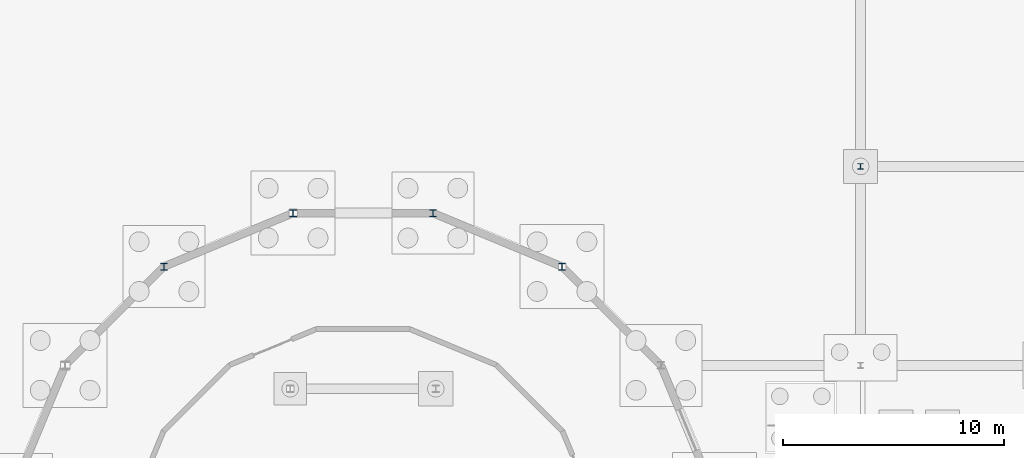
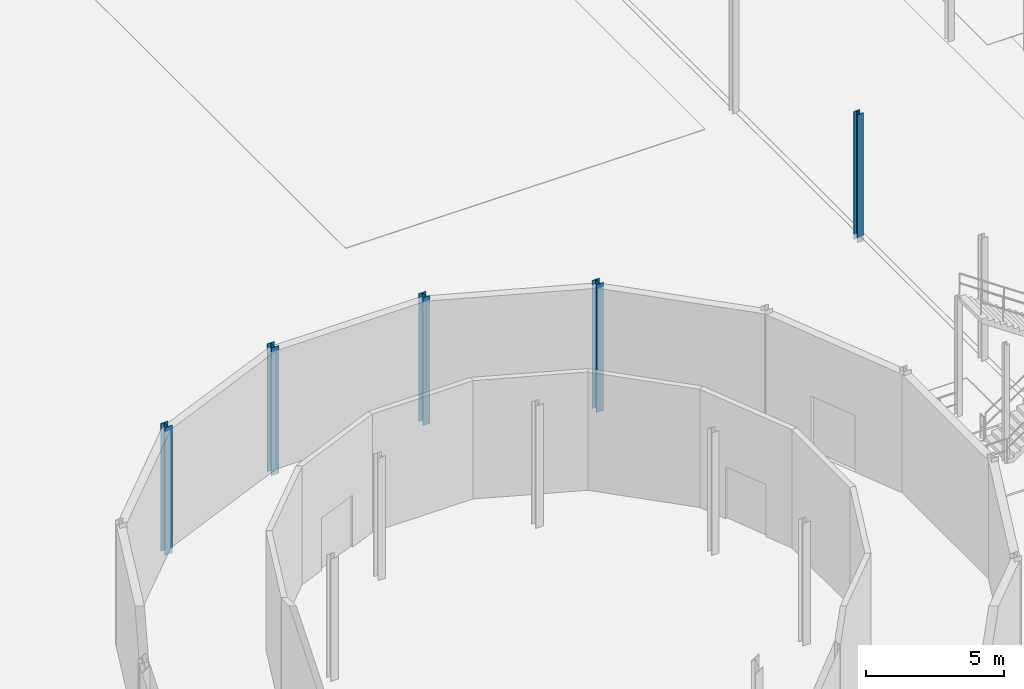
# One storey, part 7 of 180: 5 columns.
"""IFC4 building model written with IfcOpenShell, lengths in metres."""

from ifc_helpers import new_model, si_unit, direction, frame, origin, origin_2d, place, context, subcontext, project, spatial, i_section, extrude, material, material_profile, profile_set, type_object, element, save


model = new_model("IFC4")

# Units and contexts
model_context = context("Model", 3, precision=1e-05, world=origin(), true_north=direction((0.0, 1.0)))
body_context = subcontext(model_context, "Body", "Model", "MODEL_VIEW")
ifc_project = project(units=[si_unit("LENGTHUNIT", "METRE"), si_unit("AREAUNIT", "SQUARE_METRE"), si_unit("VOLUMEUNIT", "CUBIC_METRE"), si_unit("PLANEANGLEUNIT", "RADIAN"), si_unit("MASSUNIT", "GRAM", prefix="KILO"), si_unit("THERMODYNAMICTEMPERATUREUNIT", "KELVIN"), si_unit("POWERUNIT", "WATT")], contexts=[model_context])

# Site, building, storey
site_placement = place(None, origin())
site = spatial("IfcSite", under=ifc_project, at=site_placement, CompositionType="ELEMENT")
building_placement = place(site_placement, origin())
building = spatial("IfcBuilding", under=site, at=building_placement, Name="Tallowbark Science Centre", CompositionType="ELEMENT")
storey_placement = place(building_placement, origin())
storey = spatial("IfcBuildingStorey", under=building, at=storey_placement, Name="L00", CompositionType="ELEMENT", Elevation=0.0)

# Columns
ifc_material = material(Name="Structural Steel Grade 300PLUS (300 MPa)", Category="steel")
ifc_material_profile_1 = material_profile(ifc_material, i_section(OverallWidth=0.256103515625, OverallDepth=0.260009765625, WebThickness=0.010498046875, FlangeThickness=0.017333984375, FilletRadius=0.013916015625, at=origin_2d()), Name="250UC89.5")
ifc_profile_set_1 = profile_set([ifc_material_profile_1], Name="Structural Steel Grade 300PLUS (300 MPa)")
column_type_1 = type_object("IfcColumnType", Name="COL-UC250A", PredefinedType="COLUMN", material=ifc_profile_set_1)
column_placement = place(storey_placement, frame((45.0, 36.0, -0.260009765625), z_axis=(0.0, 0.0, 1.0), x_axis=(1.0, 0.0, 0.0)))
element("IfcColumn", 1, at=column_placement, inside=storey, type_object=column_type_1, Name="Column PAS-W04 L00", PredefinedType="COLUMN", context=body_context, shape_type="SweptSolid", body=[
    extrude(i_section(OverallWidth=0.256103515625, OverallDepth=0.260009765625, WebThickness=0.010498046875, FlangeThickness=0.017333984375, FilletRadius=0.013916015625, at=origin_2d()), origin(), (0.0, 0.0, 1.0), 5.659912109375),
])
ifc_material_profile_2 = material_profile(ifc_material, i_section(OverallWidth=0.307373046875, OverallDepth=0.314697265625, WebThickness=0.011962890625, FlangeThickness=0.018798828125, FilletRadius=0.0166015625, at=origin_2d()), Name="310UC118")
ifc_profile_set_2 = profile_set([ifc_material_profile_2], Name="Structural Steel Grade 300PLUS (300 MPa)")
column_type_2 = type_object("IfcColumnType", Name="PIL-UC310", PredefinedType="PILASTER", material=ifc_profile_set_2)
for number, where, z_axis, x_axis, name in (
    (2, (31.500244140625, 31.4697265625, -0.239990234375), (0.0, 0.0, 1.0), (1.0, 0.0, 0.0), "Column DRM-P03 L00"),
    (3, (25.660400390625, 33.888671875, -0.239990234375), (0.0, 0.0, 1.0), (1.0, 0.0, 0.0), "Column DRM-P04 L00"),
    (4, (19.339599609375, 33.888671875, -0.239990234375), (0.0, 0.0, 1.0), (1.0, 0.0, 0.0), "Column DRM-P05 L00"),
    (5, (13.499755859375, 31.4697265625, -0.239990234375), (0.0, 0.0, 1.0), (1.0, 0.0, 0.0), "Column DRM-P06 L00"),
):
    element("IfcColumn", number, at=place(storey_placement, frame(where, z_axis=z_axis, x_axis=x_axis)), inside=storey, type_object=column_type_2, Name=name, PredefinedType="PILASTER", context=body_context, shape_type="SweptSolid", body=[
        extrude(i_section(OverallWidth=0.307373046875, OverallDepth=0.314697265625, WebThickness=0.011962890625, FlangeThickness=0.018798828125, FilletRadius=0.0166015625, at=origin_2d()), origin(), (0.0, 0.0, 1.0), 5.639892578125),
    ])

save(model, "model.ifc")
